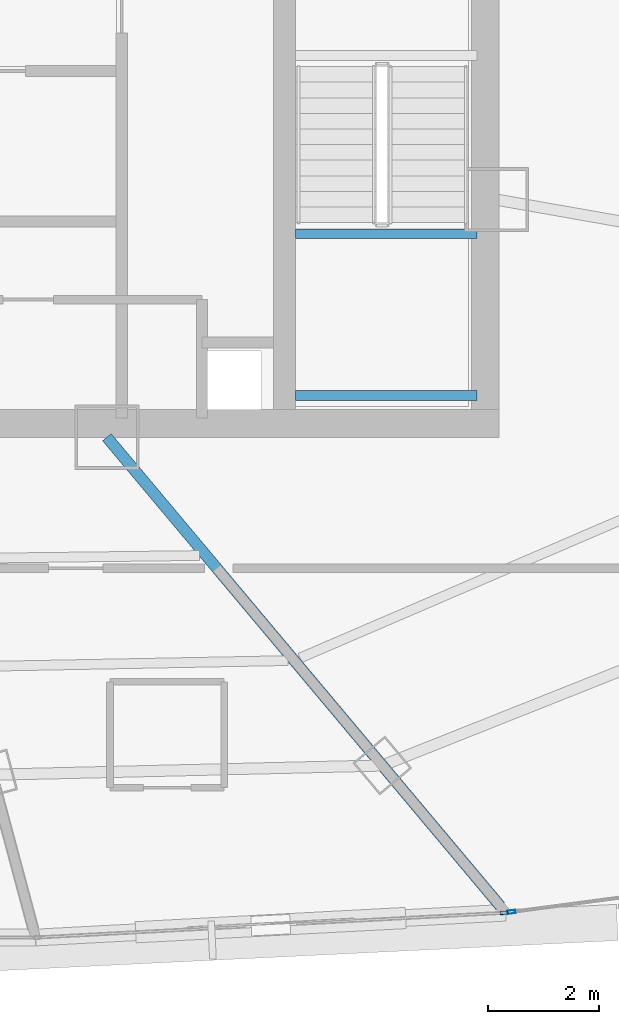
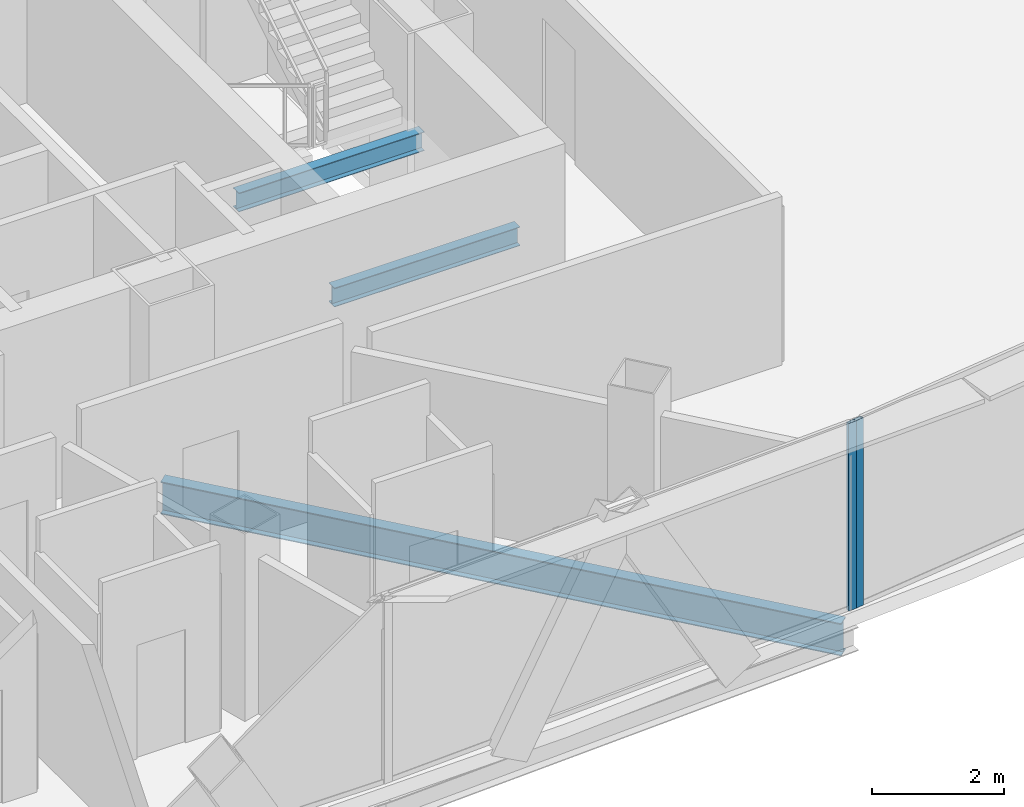
# One storey, part 12 of 37: 3 beams, 2 members, 2 elements without a shape of their own.
"""IFC4 building model written with IfcOpenShell, lengths in metres."""

from ifc_helpers import new_model, si_unit, direction, frame, origin, origin_2d, place, context, subcontext, project, spatial, hollow_rectangle, i_section, extrude, source, transform, mapped, material, layer, layer_set, material_profile, profile_set, type_object, element, aggregate, save


model = new_model("IFC4")

# Units and contexts
model_context = context("Model", 3, precision=1e-05, world=origin(), true_north=direction((0.0, 1.0)))
body_context = subcontext(model_context, "Body", "Model", "MODEL_VIEW")
ifc_project = project(units=[si_unit("LENGTHUNIT", "METRE"), si_unit("AREAUNIT", "SQUARE_METRE"), si_unit("VOLUMEUNIT", "CUBIC_METRE"), si_unit("PLANEANGLEUNIT", "RADIAN"), si_unit("MASSUNIT", "GRAM", prefix="KILO"), si_unit("THERMODYNAMICTEMPERATUREUNIT", "KELVIN"), si_unit("POWERUNIT", "WATT")], contexts=[model_context])

# Site, building, storey
site_placement = place(None, origin())
site = spatial("IfcSite", under=ifc_project, at=site_placement, CompositionType="ELEMENT")
building_placement = place(site_placement, origin())
building = spatial("IfcBuilding", under=site, at=building_placement, Name="Yunzhuo Pagoda Commons", CompositionType="ELEMENT")
storey_placement = place(building_placement, frame((0.0, 0.0, 277.56005859375)))
storey = spatial("IfcBuildingStorey", under=building, at=storey_placement, Name="L69", CompositionType="ELEMENT", Elevation=277.56005859375)

# Beams
ifc_material_1 = material(Name="Structural steel Q355B", Category="steel")
ifc_material_profile_1 = material_profile(ifc_material_1, i_section(OverallWidth=0.175048828125, OverallDepth=0.35009765625, WebThickness=0.007080078125, FlangeThickness=0.010986328125, at=origin_2d()), Name="Structural steel Q355B")
ifc_profile_set_1 = profile_set([ifc_material_profile_1], Name="Structural steel Q355B")
beam_type_1 = type_object("IfcBeamType", Name="B-JS2 Joist HN 350x175x7x11", PredefinedType="JOIST", material=ifc_profile_set_1)
shared_shape_1 = source(origin(), body_context, "Body", "SweptSolid", [
    extrude(i_section(OverallWidth=0.175048828125, OverallDepth=0.35009765625, WebThickness=0.007080078125, FlangeThickness=0.010986328125, at=origin_2d()), origin(), (0.0, 0.0, 1.0), 3.25),
])
for number, where, z_axis, x_axis, name in (
    (1, (56.800048828125, 28.0, 1.489990234375), (1.0, 0.0, 0.0), (0.0, 1.0, 0.0), "L69 ST2 landing support beam 75A"),
    (2, (56.800048828125, 30.89990234375, 1.489990234375), (1.0, 0.0, 0.0), (0.0, 1.0, 0.0), "L69 ST2 landing support beam 75B"),
):
    element("IfcBeam", number, at=place(storey_placement, frame(where, z_axis=z_axis, x_axis=x_axis)), inside=storey, type_object=beam_type_1, Name=name, PredefinedType="JOIST", context=body_context, shape_type="MappedRepresentation", body=[
        mapped(shared_shape_1, transform((0.0, 0.0, 0.0), scale=1.0)),
    ])
ifc_material_profile_2 = material_profile(ifc_material_1, i_section(OverallWidth=0.199951171875, OverallDepth=0.60009765625, WebThickness=0.010986328125, FlangeThickness=0.01708984375, at=origin_2d()), Name="Structural steel Q355B")
ifc_profile_set_2 = profile_set([ifc_material_profile_2], Name="Structural steel Q355B")
beam_type_2 = type_object("IfcBeamType", Name="B-RG3 Beam HN 600x200x11x17", PredefinedType="BEAM", material=ifc_profile_set_2)
shared_shape_2 = source(origin(), body_context, "Body", "SweptSolid", [
    extrude(i_section(OverallWidth=0.199951171875, OverallDepth=0.60009765625, WebThickness=0.010986328125, FlangeThickness=0.01708984375, at=origin_2d()), origin(), (0.0, 0.0, 1.0), 10.978515625),
])
beam_placement = place(storey_placement, frame((60.468994140625, 18.840087890625, -0.56005859375), z_axis=(-0.642794591419, 0.766038584695, 0.0), x_axis=(-0.766038584695, -0.642794591419, 0.0)))
element("IfcBeam", 3, at=beam_placement, inside=storey, type_object=beam_type_2, Name="L69 radial floor girder F1C4", PredefinedType="BEAM", context=body_context, shape_type="MappedRepresentation", body=[
    mapped(shared_shape_2, transform((0.0, 0.0, 0.0), scale=1.0)),
])

# Curtain wall, member
ifc_material_2 = material(Name="Anodized aluminium 6063-T6", Category="aluminium")
ifc_layer = layer(ifc_material_2, 0.139892578125)
ifc_layer_set = layer_set([ifc_layer], Name="Anodized aluminium 6063-T6")
curtain_wall_type = type_object("IfcCurtainWallType", Name="CW-HI High-Zone Ribbon Curtain Wall", PredefinedType="NOTDEFINED", material=ifc_layer_set)
curtain_wall_1_placement = place(storey_placement, origin())
curtain_wall_1 = element("IfcCurtainWall", 4, at=curtain_wall_1_placement, inside=storey, type_object=curtain_wall_type, Name="L69 curtain wall CW-L69-F1B4", PredefinedType="NOTDEFINED")
ifc_material_profile_3 = material_profile(ifc_material_2, hollow_rectangle(XDim=0.06005859375, YDim=0.139892578125, WallThickness=0.00341796875, at=origin_2d()), Name="Anodized aluminium 6063-T6")
ifc_profile_set_3 = profile_set([ifc_material_profile_3], Name="Anodized aluminium 6063-T6")
member_type = type_object("IfcMemberType", Name="CW-HI-M Mullion RHS 140x60x3.5", PredefinedType="MULLION", material=ifc_profile_set_3)
shared_shape_3 = source(origin(), body_context, "Body", "SweptSolid", [
    extrude(hollow_rectangle(XDim=0.06005859375, YDim=0.139892578125, WallThickness=0.00341796875, at=origin_2d()), origin(), (0.0, 0.0, 1.0), 3.469970703125),
])
member_1_placement = place(storey_placement, frame((60.53857421875, 18.7197265625, 0.0), z_axis=(0.0, 0.0, 1.0), x_axis=(-0.052821657014, 0.998603961814, 0.0)))
member_1 = element("IfcMember", 5, at=member_1_placement, type_object=member_type, Name="CW mullion 2", PredefinedType="MULLION", context=body_context, shape_type="MappedRepresentation", body=[
    mapped(shared_shape_3, transform((0.0, 0.0, 0.0), scale=1.0)),
])
aggregate(curtain_wall_1, [member_1])

curtain_wall_2_placement = place(storey_placement, origin())
curtain_wall_2 = element("IfcCurtainWall", 6, at=curtain_wall_2_placement, inside=storey, type_object=curtain_wall_type, Name="L69 curtain wall CW-L69-F1B5", PredefinedType="NOTDEFINED")
member_2_placement = place(storey_placement, frame((60.6728515625, 18.735107421875, 0.0), z_axis=(0.0, 0.0, 1.0), x_axis=(-0.131311416098, 0.991341168318, 0.0)))
member_2 = element("IfcMember", 7, at=member_2_placement, type_object=member_type, Name="CW mullion 1", PredefinedType="MULLION", context=body_context, shape_type="MappedRepresentation", body=[
    mapped(shared_shape_3, transform((0.0, 0.0, 0.0), scale=1.0)),
])
aggregate(curtain_wall_2, [member_2])

save(model, "model.ifc")
